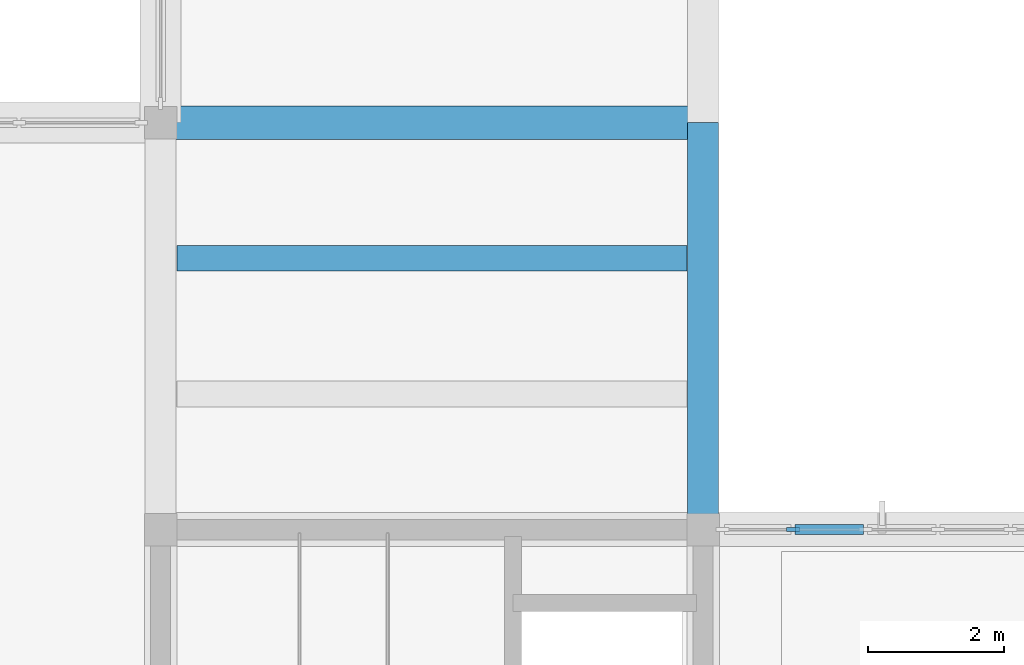
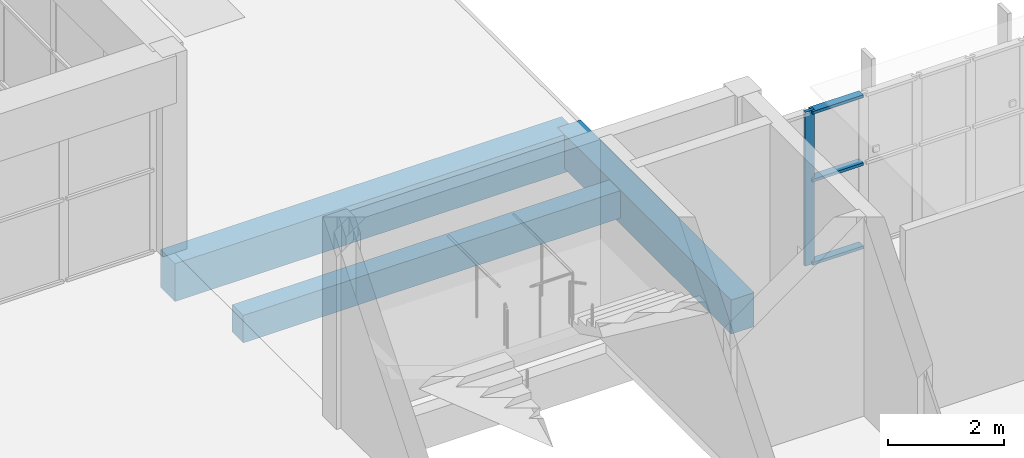
# One storey, part 7 of 70: 4 members, 3 beams, 1 element without a shape of its own.
"""IFC4 building model written with IfcOpenShell, lengths in metres."""

from ifc_helpers import new_model, si_unit, direction, frame, origin, origin_2d, place, context, subcontext, project, spatial, rectangle, extrude, material, layer, layer_set, material_profile, profile_set, type_object, element, aggregate, save


model = new_model("IFC4")

# Units and contexts
model_context = context("Model", 3, precision=1e-05, world=origin(), true_north=direction((0.0, 1.0)))
body_context = subcontext(model_context, "Body", "Model", "MODEL_VIEW")
ifc_project = project(units=[si_unit("LENGTHUNIT", "METRE"), si_unit("AREAUNIT", "SQUARE_METRE"), si_unit("VOLUMEUNIT", "CUBIC_METRE"), si_unit("PLANEANGLEUNIT", "RADIAN"), si_unit("MASSUNIT", "GRAM", prefix="KILO")], contexts=[model_context])

# Site, building, storey
site_placement = place(None, origin())
site = spatial("IfcSite", under=ifc_project, at=site_placement, CompositionType="ELEMENT")
building_placement = place(site_placement, origin())
building = spatial("IfcBuilding", under=site, at=building_placement, Name="Solvane Community Centre", CompositionType="ELEMENT")
storey_placement = place(building_placement, frame((0.0, 0.0, 9.60009765625)))
storey = spatial("IfcBuildingStorey", under=building, at=storey_placement, Name="L02", CompositionType="ELEMENT", Elevation=9.60009765625)

# Curtain wall, members
ifc_material_1 = material(Name="Anodised bronze aluminium AW-6063 T6", Category="aluminium")
ifc_layer = layer(ifc_material_1, 0.18994140625)
ifc_layer_set = layer_set([ifc_layer], Name="Anodised bronze aluminium AW-6063 T6")
curtain_wall_type = type_object("IfcCurtainWallType", Name="Boulevard Bronze Vision Curtain Wall [75x32dm]", PredefinedType="NOTDEFINED", material=ifc_layer_set)
curtain_wall_placement = place(storey_placement, origin())
curtain_wall = element("IfcCurtainWall", 1, at=curtain_wall_placement, inside=storey, type_object=curtain_wall_type, Name="Curtain Wall CW-L02-683_300-192", PredefinedType="NOTDEFINED")
ifc_material_profile_1 = material_profile(ifc_material_1, rectangle(XDim=0.06005859375, YDim=0.18994140625, at=origin_2d()), Name="CW-M 60x190")
ifc_profile_set_1 = profile_set([ifc_material_profile_1], Name="Anodised bronze aluminium AW-6063 T6")
member_type_1 = type_object("IfcMemberType", Name="Boulevard Mullion 60x190", PredefinedType="MULLION", material=ifc_profile_set_1)
member_1_placement = place(storey_placement, frame((69.324951171875, 30.0, 0.0), z_axis=(0.0, 0.0, 1.0), x_axis=(0.0, 1.0, 0.0)))
member_1 = element("IfcMember", 2, at=member_1_placement, type_object=member_type_1, Name="CW02-75x32 mullion 2", PredefinedType="MULLION", context=body_context, shape_type="SweptSolid", body=[
    extrude(rectangle(XDim=0.06005859375, YDim=0.18994140625, at=origin_2d()), origin(), (0.0, 0.0, 1.0), 3.244873046875),
])
ifc_material_profile_2 = material_profile(ifc_material_1, rectangle(XDim=0.14990234375, YDim=0.06005859375, at=origin_2d()), Name="CW-T 60x150")
ifc_profile_set_2 = profile_set([ifc_material_profile_2], Name="Anodised bronze aluminium AW-6063 T6")
member_type_2 = type_object("IfcMemberType", Name="Boulevard Transom 60x150", PredefinedType="USERDEFINED", material=ifc_profile_set_2)
member_2_placement = place(storey_placement, frame((69.35498046875, 30.0, 0.02978515625), z_axis=(1.0, 0.0, 0.0), x_axis=(0.0, 1.0, 0.0)))
member_2 = element("IfcMember", 3, at=member_2_placement, type_object=member_type_2, Name="CW02-75x32 transom 2.1", ObjectType="TRANSOM", PredefinedType="USERDEFINED", context=body_context, shape_type="SweptSolid", body=[
    extrude(rectangle(XDim=0.14990234375, YDim=0.06005859375, at=origin_2d()), origin(), (0.0, 0.0, 1.0), 1.010009765625),
])
member_3_placement = place(storey_placement, frame((69.35498046875, 30.0, 1.784912109375), z_axis=(1.0, 0.0, 0.0), x_axis=(0.0, 1.0, 0.0)))
member_3 = element("IfcMember", 4, at=member_3_placement, type_object=member_type_2, Name="CW02-75x32 transom 2.2", ObjectType="TRANSOM", PredefinedType="USERDEFINED", context=body_context, shape_type="SweptSolid", body=[
    extrude(rectangle(XDim=0.14990234375, YDim=0.06005859375, at=origin_2d()), origin(), (0.0, 0.0, 1.0), 1.010009765625),
])
member_4_placement = place(storey_placement, frame((69.35498046875, 30.0, 3.21484375), z_axis=(1.0, 0.0, 0.0), x_axis=(0.0, 1.0, 0.0)))
member_4 = element("IfcMember", 5, at=member_4_placement, type_object=member_type_2, Name="CW02-75x32 transom 2.3", ObjectType="TRANSOM", PredefinedType="USERDEFINED", context=body_context, shape_type="SweptSolid", body=[
    extrude(rectangle(XDim=0.14990234375, YDim=0.06005859375, at=origin_2d()), origin(), (0.0, 0.0, 1.0), 1.010009765625),
])
aggregate(curtain_wall, [member_1, member_2, member_3, member_4])

# Beams
ifc_material_2 = material(Name="Concrete C35/45", Category="concrete")
ifc_material_profile_3 = material_profile(ifc_material_2, rectangle(XDim=0.4599609375, YDim=0.719970703125, at=origin_2d()), Name="RC 460x720")
ifc_profile_set_3 = profile_set([ifc_material_profile_3], Name="Concrete C35/45")
beam_type_1 = type_object("IfcBeamType", Name="RC Cloister Beam 460x720", PredefinedType="BEAM", material=ifc_profile_set_3)
beam_1_placement = place(storey_placement, frame((68.0, 30.0, -0.580078125), z_axis=(0.0, 1.0, 0.0), x_axis=(-1.0, 0.0, 0.0)))
element("IfcBeam", 6, at=beam_1_placement, inside=storey, type_object=beam_type_1, Name="Beam BM-L02-680_300-680_360", PredefinedType="BEAM", context=body_context, shape_type="SweptSolid", body=[
    extrude(rectangle(XDim=0.4599609375, YDim=0.719970703125, at=origin_2d()), origin(), (0.0, 0.0, 1.0), 6.0),
])
ifc_material_profile_4 = material_profile(ifc_material_2, rectangle(XDim=0.5, YDim=0.800048828125, at=origin_2d()), Name="RC 500x800")
ifc_profile_set_4 = profile_set([ifc_material_profile_4], Name="Concrete C35/45")
beam_type_2 = type_object("IfcBeamType", Name="RC Primary Girder 500x800", PredefinedType="USERDEFINED", material=ifc_profile_set_4)
beam_2_placement = place(storey_placement, frame((60.0, 36.0, -0.6201171875), z_axis=(1.0, 0.0, 0.0), x_axis=(0.0, 1.0, 0.0)))
element("IfcBeam", 7, at=beam_2_placement, inside=storey, type_object=beam_type_2, Name="Beam BM-L02-600_360-680_360", ObjectType="GIRDER", PredefinedType="USERDEFINED", context=body_context, shape_type="SweptSolid", body=[
    extrude(rectangle(XDim=0.5, YDim=0.800048828125, at=origin_2d()), origin(), (0.0, 0.0, 1.0), 8.0),
])
ifc_material_profile_5 = material_profile(ifc_material_2, rectangle(XDim=0.3798828125, YDim=0.580078125, at=origin_2d()), Name="RC 380x580")
ifc_profile_set_5 = profile_set([ifc_material_profile_5], Name="Concrete C35/45")
beam_type_3 = type_object("IfcBeamType", Name="RC Short Joist 380x580", PredefinedType="JOIST", material=ifc_profile_set_5)
beam_3_placement = place(storey_placement, frame((60.239990234375, 34.0, -0.510009765625), z_axis=(1.0, 0.0, 0.0), x_axis=(0.0, 1.0, 0.0)))
element("IfcBeam", 8, at=beam_3_placement, inside=storey, type_object=beam_type_3, Name="Beam BM-L02-602_340-678_340", PredefinedType="JOIST", context=body_context, shape_type="SweptSolid", body=[
    extrude(rectangle(XDim=0.3798828125, YDim=0.580078125, at=origin_2d()), origin(), (0.0, 0.0, 1.0), 7.52001953125),
])

save(model, "model.ifc")
